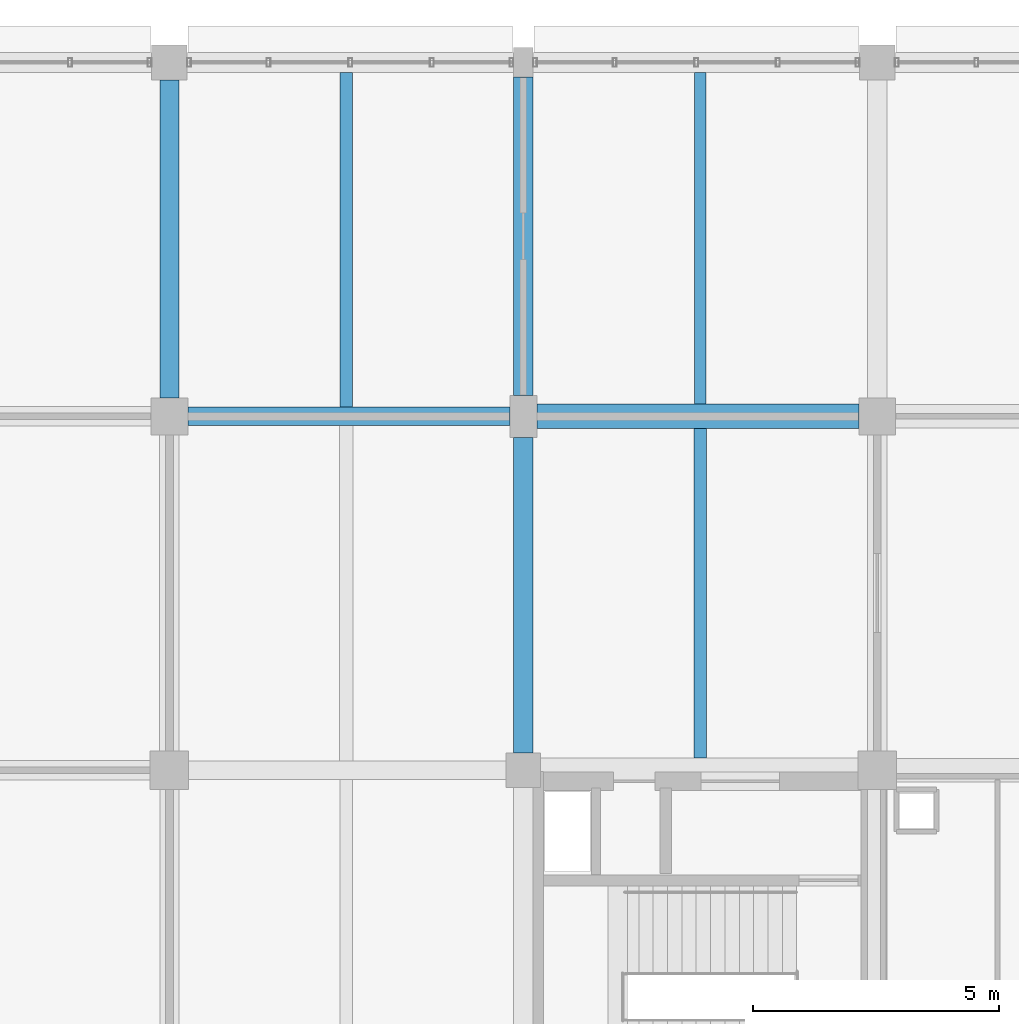
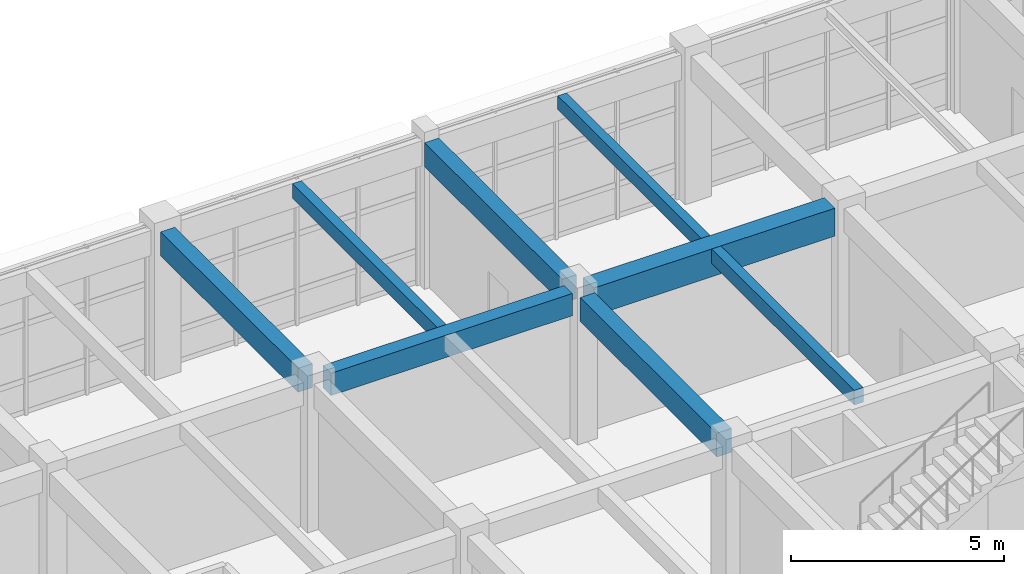
# One storey, part 70 of 171: 8 beams.
"""IFC4 building model written with IfcOpenShell, lengths in metres."""

from ifc_helpers import new_model, si_unit, direction, frame, origin, origin_2d, place, context, subcontext, project, spatial, rectangle, extrude, material, material_profile, profile_set, type_object, element, save


model = new_model("IFC4")

# Units and contexts
model_context = context("Model", 3, precision=1e-05, world=origin(), true_north=direction((0.0, 1.0)))
body_context = subcontext(model_context, "Body", "Model", "MODEL_VIEW")
ifc_project = project(units=[si_unit("LENGTHUNIT", "METRE"), si_unit("AREAUNIT", "SQUARE_METRE"), si_unit("VOLUMEUNIT", "CUBIC_METRE"), si_unit("PLANEANGLEUNIT", "RADIAN"), si_unit("MASSUNIT", "GRAM", prefix="KILO")], contexts=[model_context])

# Site, building, storey
site_placement = place(None, origin())
site = spatial("IfcSite", under=ifc_project, at=site_placement, CompositionType="ELEMENT")
building_placement = place(site_placement, origin())
building = spatial("IfcBuilding", under=site, at=building_placement, Name="Thalmaran Polytechnic", CompositionType="ELEMENT")
storey_placement = place(building_placement, frame((0.0, 0.0, 5.39990234375)))
storey = spatial("IfcBuildingStorey", under=building, at=storey_placement, Name="L01", CompositionType="ELEMENT", Elevation=5.39990234375)

# Beams
ifc_material = material(Name="Concrete C40/50", Category="concrete")
ifc_material_profile_1 = material_profile(ifc_material, rectangle(XDim=0.5, YDim=0.800048828125, at=origin_2d()), Name="RC 500x800")
ifc_profile_set_1 = profile_set([ifc_material_profile_1], Name="Concrete C40/50")
beam_type_1 = type_object("IfcBeamType", Name="BM-RC02", PredefinedType="BEAM", material=ifc_profile_set_1)
beam_1_placement = place(storey_placement, frame((57.875, 115.199951171875, 3.81005859375), z_axis=(1.0, 0.0, 0.0), x_axis=(0.0, 1.0, 0.0)))
element("IfcBeam", 1, at=beam_1_placement, inside=storey, type_object=beam_type_1, Name="Grid Beam B02 L01 X(8,16)", PredefinedType="BEAM", context=body_context, shape_type="SweptSolid", body=[
    extrude(rectangle(XDim=0.5, YDim=0.800048828125, at=origin_2d()), origin(), (0.0, 0.0, 1.0), 6.550048828125),
])
ifc_material_profile_2 = material_profile(ifc_material, rectangle(XDim=0.389892578125, YDim=0.68994140625, at=origin_2d()), Name="RC 390x690")
ifc_profile_set_2 = profile_set([ifc_material_profile_2], Name="Concrete C40/50")
beam_type_2 = type_object("IfcBeamType", Name="BM-RC09", PredefinedType="BEAM", material=ifc_profile_set_2)
beam_2_placement = place(storey_placement, frame((50.39990234375, 115.574951171875, 3.864990234375), z_axis=(0.0, 1.0, 0.0), x_axis=(-1.0, 0.0, 0.0)))
element("IfcBeam", 2, at=beam_2_placement, inside=storey, type_object=beam_type_2, Name="Grid Beam B09 L01 Y(7,16)", PredefinedType="BEAM", context=body_context, shape_type="SweptSolid", body=[
    extrude(rectangle(XDim=0.389892578125, YDim=0.68994140625, at=origin_2d()), origin(), (0.0, 0.0, 1.0), 6.465087890625),
])
beam_3_placement = place(storey_placement, frame((57.60009765625, 115.625, 3.864990234375), z_axis=(0.0, 1.0, 0.0), x_axis=(-1.0, 0.0, 0.0)))
element("IfcBeam", 3, at=beam_3_placement, inside=storey, type_object=beam_type_2, Name="Grid Beam B09 L01 Y(8,16)", PredefinedType="BEAM", context=body_context, shape_type="SweptSolid", body=[
    extrude(rectangle(XDim=0.389892578125, YDim=0.68994140625, at=origin_2d()), origin(), (0.0, 0.0, 1.0), 6.47509765625),
])
ifc_material_profile_3 = material_profile(ifc_material, rectangle(XDim=0.3798828125, YDim=0.639892578125, at=origin_2d()), Name="RC 380x640")
ifc_profile_set_3 = profile_set([ifc_material_profile_3], Name="Concrete C40/50")
beam_type_3 = type_object("IfcBeamType", Name="BM-ZB05", PredefinedType="BEAM", material=ifc_profile_set_3)
beam_4_placement = place(storey_placement, frame((50.77490234375, 115.199951171875, 3.89013671875), z_axis=(1.0, 0.0, 0.0), x_axis=(0.0, 1.0, 0.0)))
element("IfcBeam", 4, at=beam_4_placement, inside=storey, type_object=beam_type_3, Name="Grid Beam ZB05 L01 X(7,16)", PredefinedType="BEAM", context=body_context, shape_type="SweptSolid", body=[
    extrude(rectangle(XDim=0.3798828125, YDim=0.639892578125, at=origin_2d()), origin(), (0.0, 0.0, 1.0), 6.550048828125),
])
ifc_material_profile_4 = material_profile(ifc_material, rectangle(XDim=0.39990234375, YDim=0.68505859375, at=origin_2d()), Name="RC 400x685")
ifc_profile_set_4 = profile_set([ifc_material_profile_4], Name="Concrete C40/50")
beam_type_4 = type_object("IfcBeamType", Name="BM-ZB07", PredefinedType="BEAM", material=ifc_profile_set_4)
beam_5_placement = place(storey_placement, frame((57.60009765625, 108.35009765625, 3.86767578125), z_axis=(0.0, 1.0, 0.0), x_axis=(-1.0, 0.0, 0.0)))
element("IfcBeam", 5, at=beam_5_placement, inside=storey, type_object=beam_type_4, Name="Grid Beam ZB07 L01 Y(8,15)", PredefinedType="BEAM", context=body_context, shape_type="SweptSolid", body=[
    extrude(rectangle(XDim=0.39990234375, YDim=0.68505859375, at=origin_2d()), origin(), (0.0, 0.0, 1.0), 6.4248046875),
])
ifc_material_profile_5 = material_profile(ifc_material, rectangle(XDim=0.25, YDim=0.419921875, at=origin_2d()), Name="RC 250x420")
ifc_profile_set_5 = profile_set([ifc_material_profile_5], Name="Concrete C40/50")
beam_type_5 = type_object("IfcBeamType", Name="BM-ZJ03", PredefinedType="JOIST", material=ifc_profile_set_5)
beam_6_placement = place(storey_placement, frame((54.0, 115.389892578125, 4.0), z_axis=(0.0, 1.0, 0.0), x_axis=(-1.0, 0.0, 0.0)))
element("IfcBeam", 6, at=beam_6_placement, inside=storey, type_object=beam_type_5, Name="Secondary Floor Rib ZJ03 L01 (7,16)", PredefinedType="JOIST", context=body_context, shape_type="SweptSolid", body=[
    extrude(rectangle(XDim=0.25, YDim=0.419921875, at=origin_2d()), origin(), (0.0, 0.0, 1.0), 6.81005859375),
])
beam_7_placement = place(storey_placement, frame((61.199951171875, 108.25, 4.0), z_axis=(0.0, 1.0, 0.0), x_axis=(-1.0, 0.0, 0.0)))
element("IfcBeam", 7, at=beam_7_placement, inside=storey, type_object=beam_type_5, Name="Secondary Floor Rib ZJ03 L01 (8,15)", PredefinedType="JOIST", context=body_context, shape_type="SweptSolid", body=[
    extrude(rectangle(XDim=0.25, YDim=0.419921875, at=origin_2d()), origin(), (0.0, 0.0, 1.0), 6.699951171875),
])
ifc_material_profile_6 = material_profile(ifc_material, rectangle(XDim=0.239990234375, YDim=0.39990234375, at=origin_2d()), Name="RC 240x400")
ifc_profile_set_6 = profile_set([ifc_material_profile_6], Name="Concrete C40/50")
beam_type_6 = type_object("IfcBeamType", Name="BM-ZJ04", PredefinedType="JOIST", material=ifc_profile_set_6)
beam_8_placement = place(storey_placement, frame((61.199951171875, 115.449951171875, 4.010009765625), z_axis=(0.0, 1.0, 0.0), x_axis=(-1.0, 0.0, 0.0)))
element("IfcBeam", 8, at=beam_8_placement, inside=storey, type_object=beam_type_6, Name="Secondary Floor Rib ZJ04 L01 (8,16)", PredefinedType="JOIST", context=body_context, shape_type="SweptSolid", body=[
    extrude(rectangle(XDim=0.239990234375, YDim=0.39990234375, at=origin_2d()), origin(), (0.0, 0.0, 1.0), 6.75),
])

save(model, "model.ifc")
